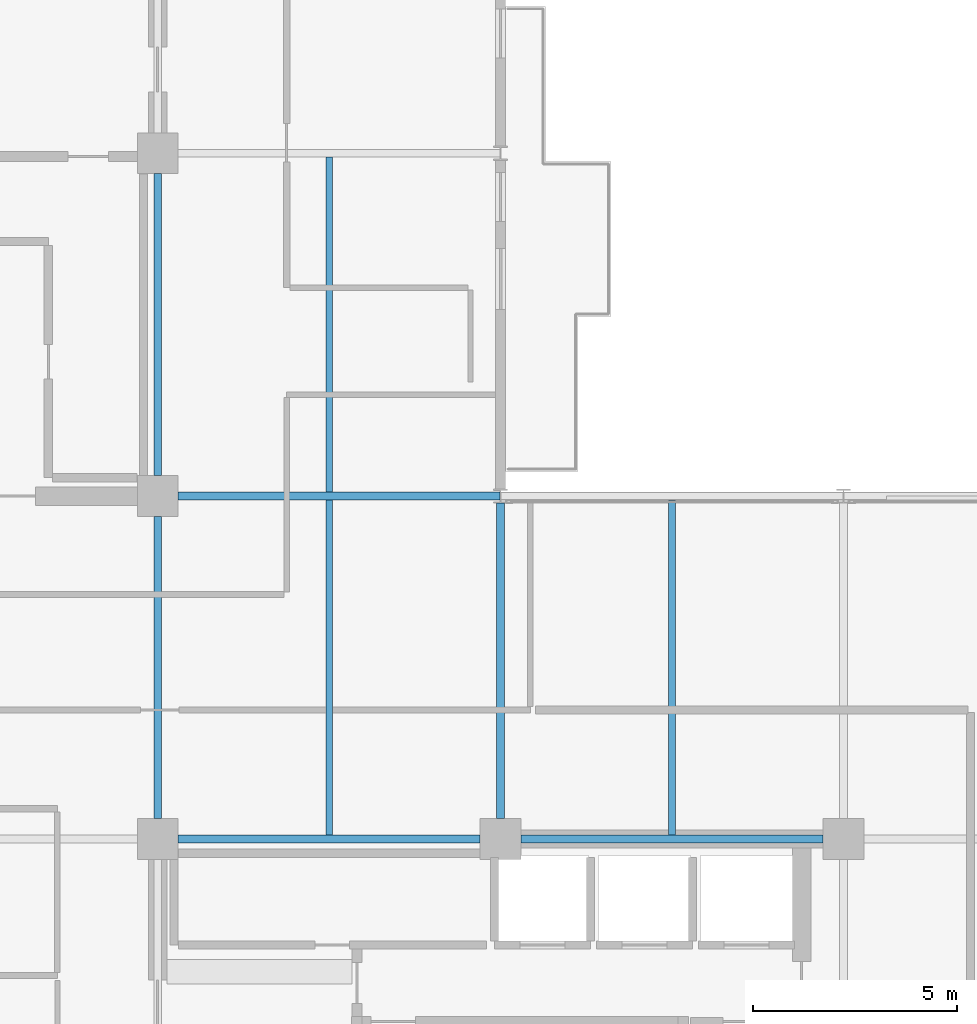
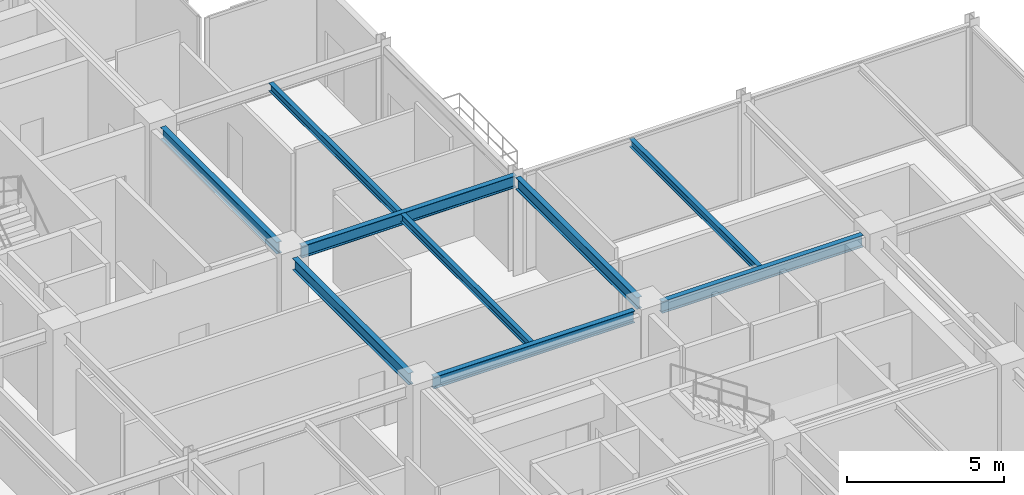
# One storey, part 11 of 25: 9 beams.
"""IFC4 building model written with IfcOpenShell, lengths in metres."""

from ifc_helpers import new_model, si_unit, direction, frame, origin, origin_2d, place, context, subcontext, project, spatial, i_section, extrude, material, material_profile, profile_set, type_object, element, save


model = new_model("IFC4")

# Units and contexts
model_context = context("Model", 3, precision=1e-05, world=origin(), true_north=direction((0.0, 1.0)))
body_context = subcontext(model_context, "Body", "Model", "MODEL_VIEW")
ifc_project = project(units=[si_unit("LENGTHUNIT", "METRE"), si_unit("AREAUNIT", "SQUARE_METRE"), si_unit("VOLUMEUNIT", "CUBIC_METRE"), si_unit("PLANEANGLEUNIT", "RADIAN"), si_unit("MASSUNIT", "GRAM", prefix="KILO")], contexts=[model_context])

# Site, building, storey
site_placement = place(None, origin())
site = spatial("IfcSite", under=ifc_project, at=site_placement, CompositionType="ELEMENT")
building_placement = place(site_placement, origin())
building = spatial("IfcBuilding", under=site, at=building_placement, Name="Nerrivon Quay Data Exchange", CompositionType="ELEMENT")
storey_placement = place(building_placement, frame((0.0, 0.0, 237.0)))
storey = spatial("IfcBuildingStorey", under=building, at=storey_placement, Name="L56", CompositionType="ELEMENT", Elevation=237.0)

# Beams
ifc_material = material(Name="Steel Grade 350", Category="steel")
ifc_material_profile_1 = material_profile(ifc_material, i_section(OverallWidth=0.19091796875, OverallDepth=0.4599609375, WebThickness=0.010009765625, FlangeThickness=0.01611328125, FilletRadius=0.011474609375, at=origin_2d()), Name="460UB82.1")
ifc_profile_set_1 = profile_set([ifc_material_profile_1], Name="Steel Grade 350")
beam_type_1 = type_object("IfcBeamType", Name="BM-G5-460UB82", PredefinedType="BEAM", material=ifc_profile_set_1)
beam_1_placement = place(storey_placement, frame((17.300048828125, 16.800048828125, 3.594970703125), z_axis=(1.0, 0.0, 0.0), x_axis=(0.0, 1.0, 0.0)))
element("IfcBeam", 1, at=beam_1_placement, inside=storey, type_object=beam_type_1, Name="L56 EW Girder Y=16.8 (16.8..25.2)", PredefinedType="BEAM", context=body_context, shape_type="SweptSolid", body=[
    extrude(i_section(OverallWidth=0.19091796875, OverallDepth=0.4599609375, WebThickness=0.010009765625, FlangeThickness=0.01611328125, FilletRadius=0.011474609375, at=origin_2d()), origin(), (0.0, 0.0, 1.0), 7.39990234375),
])
beam_2_placement = place(storey_placement, frame((25.699951171875, 16.800048828125, 3.594970703125), z_axis=(1.0, 0.0, 0.0), x_axis=(0.0, 1.0, 0.0)))
element("IfcBeam", 2, at=beam_2_placement, inside=storey, type_object=beam_type_1, Name="L56 EW Girder Y=16.8 (25.2..33.6)", PredefinedType="BEAM", context=body_context, shape_type="SweptSolid", body=[
    extrude(i_section(OverallWidth=0.19091796875, OverallDepth=0.4599609375, WebThickness=0.010009765625, FlangeThickness=0.01611328125, FilletRadius=0.011474609375, at=origin_2d()), origin(), (0.0, 0.0, 1.0), 7.400146484375),
])
beam_3_placement = place(storey_placement, frame((17.300048828125, 25.199951171875, 3.594970703125), z_axis=(1.0, 0.0, 0.0), x_axis=(0.0, 1.0, 0.0)))
element("IfcBeam", 3, at=beam_3_placement, inside=storey, type_object=beam_type_1, Name="L56 EW Girder Y=25.2 (16.8..25.2)", PredefinedType="BEAM", context=body_context, shape_type="SweptSolid", body=[
    extrude(i_section(OverallWidth=0.19091796875, OverallDepth=0.4599609375, WebThickness=0.010009765625, FlangeThickness=0.01611328125, FilletRadius=0.011474609375, at=origin_2d()), origin(), (0.0, 0.0, 1.0), 7.889892578125),
])
ifc_material_profile_2 = material_profile(ifc_material, i_section(OverallWidth=0.18994140625, OverallDepth=0.4541015625, WebThickness=0.008544921875, FlangeThickness=0.0126953125, FilletRadius=0.011474609375, at=origin_2d()), Name="460UB67.1")
ifc_profile_set_2 = profile_set([ifc_material_profile_2], Name="Steel Grade 350")
beam_type_2 = type_object("IfcBeamType", Name="BM-G6-460UB67", PredefinedType="BEAM", material=ifc_profile_set_2)
beam_4_placement = place(storey_placement, frame((16.800048828125, 17.300048828125, 3.597900390625), z_axis=(0.0, 1.0, 0.0), x_axis=(-1.0, 0.0, 0.0)))
element("IfcBeam", 4, at=beam_4_placement, inside=storey, type_object=beam_type_2, Name="L56 NS Girder X=16.8 (16.8..25.2)", PredefinedType="BEAM", context=body_context, shape_type="SweptSolid", body=[
    extrude(i_section(OverallWidth=0.18994140625, OverallDepth=0.4541015625, WebThickness=0.008544921875, FlangeThickness=0.0126953125, FilletRadius=0.011474609375, at=origin_2d()), origin(), (0.0, 0.0, 1.0), 7.39990234375),
])
beam_5_placement = place(storey_placement, frame((16.800048828125, 25.699951171875, 3.597900390625), z_axis=(0.0, 1.0, 0.0), x_axis=(-1.0, 0.0, 0.0)))
element("IfcBeam", 5, at=beam_5_placement, inside=storey, type_object=beam_type_2, Name="L56 NS Girder X=16.8 (25.2..33.6)", PredefinedType="BEAM", context=body_context, shape_type="SweptSolid", body=[
    extrude(i_section(OverallWidth=0.18994140625, OverallDepth=0.4541015625, WebThickness=0.008544921875, FlangeThickness=0.0126953125, FilletRadius=0.011474609375, at=origin_2d()), origin(), (0.0, 0.0, 1.0), 7.400146484375),
])
beam_6_placement = place(storey_placement, frame((25.199951171875, 17.300048828125, 3.597900390625), z_axis=(0.0, 1.0, 0.0), x_axis=(-1.0, 0.0, 0.0)))
element("IfcBeam", 6, at=beam_6_placement, inside=storey, type_object=beam_type_2, Name="L56 NS Girder X=25.2 (16.8..25.2)", PredefinedType="BEAM", context=body_context, shape_type="SweptSolid", body=[
    extrude(i_section(OverallWidth=0.18994140625, OverallDepth=0.4541015625, WebThickness=0.008544921875, FlangeThickness=0.0126953125, FilletRadius=0.011474609375, at=origin_2d()), origin(), (0.0, 0.0, 1.0), 7.724853515625),
])
ifc_material_profile_3 = material_profile(ifc_material, i_section(OverallWidth=0.166015625, OverallDepth=0.306884765625, WebThickness=0.006591796875, FlangeThickness=0.01171875, FilletRadius=0.011474609375, at=origin_2d()), Name="310UB46.2")
ifc_profile_set_3 = profile_set([ifc_material_profile_3], Name="Steel Grade 350")
beam_type_3 = type_object("IfcBeamType", Name="BM-J5-310UB46", PredefinedType="JOIST", material=ifc_profile_set_3)
for number, where, z_axis, x_axis, name in (
    (7, (21.0, 16.8955078125, 3.67138671875), (0.0, 1.0, 0.0), (-1.0, 0.0, 0.0), "L56 Secondary Joist X=21.0 (16.8..25.2)"),
    (8, (21.0, 25.29541015625, 3.67138671875), (0.0, 1.0, 0.0), (-1.0, 0.0, 0.0), "L56 Secondary Joist X=21.0 (25.2..33.6)"),
):
    element("IfcBeam", number, at=place(storey_placement, frame(where, z_axis=z_axis, x_axis=x_axis)), inside=storey, type_object=beam_type_3, Name=name, PredefinedType="JOIST", context=body_context, shape_type="SweptSolid", body=[
        extrude(i_section(OverallWidth=0.166015625, OverallDepth=0.306884765625, WebThickness=0.006591796875, FlangeThickness=0.01171875, FilletRadius=0.011474609375, at=origin_2d()), origin(), (0.0, 0.0, 1.0), 8.208984375),
    ])
beam_7_placement = place(storey_placement, frame((29.39990234375, 16.8955078125, 3.67138671875), z_axis=(0.0, 1.0, 0.0), x_axis=(-1.0, 0.0, 0.0)))
element("IfcBeam", 9, at=beam_7_placement, inside=storey, type_object=beam_type_3, Name="L56 Secondary Joist X=29.4 (16.8..25.2)", PredefinedType="JOIST", context=body_context, shape_type="SweptSolid", body=[
    extrude(i_section(OverallWidth=0.166015625, OverallDepth=0.306884765625, WebThickness=0.006591796875, FlangeThickness=0.01171875, FilletRadius=0.011474609375, at=origin_2d()), origin(), (0.0, 0.0, 1.0), 8.20458984375),
])

save(model, "model.ifc")
